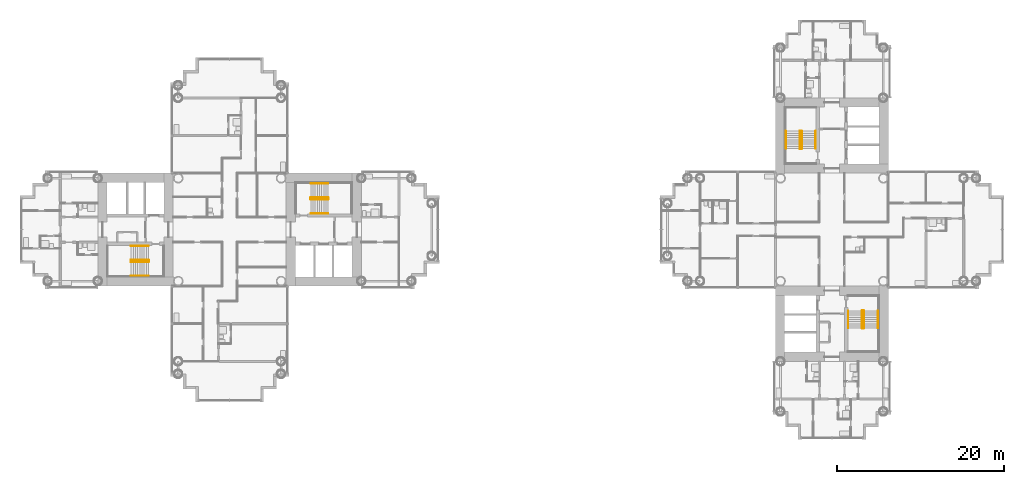
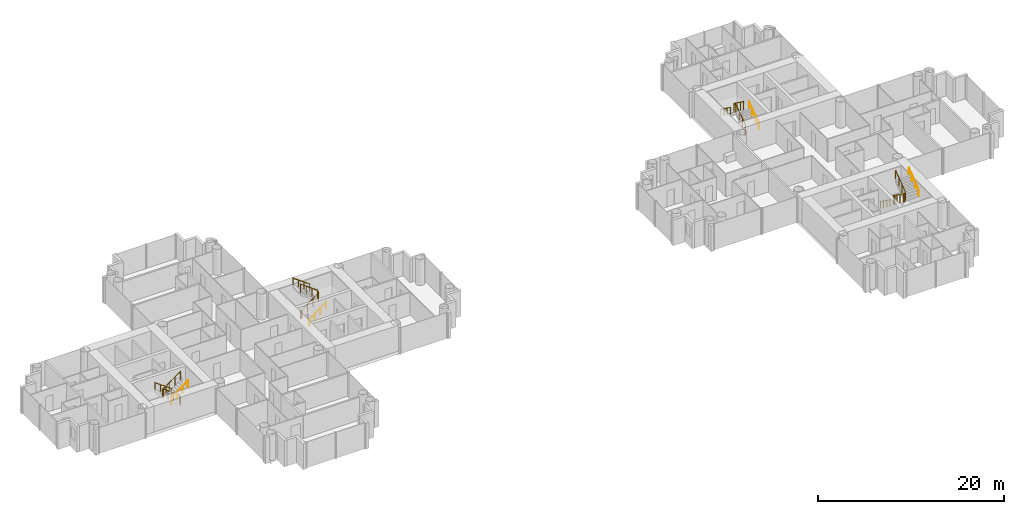
# One storey, part 21 of 22: 12 railings.
"""IFC4 building model written with IfcOpenShell, lengths in metres."""

import ifcopenshell
import ifcopenshell.guid

model = None  # the IFC model being written
_history = None  # IfcOwnerHistory: only IFC2X3 demands one
_inside = {}  # id of a spatial element -> (the spatial element, [elements in it])
_under = {}  # id of a project, library or spatial element -> (it, [spatial elements below it])
_declared = {}  # id of a project -> (the project, [libraries it declares])
_typed = {}  # id of a type object -> (the type object, [elements of that type])
_made_of = {}  # id of a material, layer set ... -> (it, [elements and type objects made of it])


def new_model(schema):
    """Start an empty IFC model of exactly this schema.

    Asked for "IFC4X3", IfcOpenShell would pick the latest addendum, in which some entities
    have other attributes; the version numbers below select the first issue.
    IFC2X3 requires an IfcOwnerHistory on every rooted entity: one is made here for all.
    """
    global model, _history
    if schema == "IFC4X3":
        model = ifcopenshell.file(schema_version=(4, 3, 0, 0))
    else:
        model = ifcopenshell.file(schema=schema)
    _inside.clear()
    _under.clear()
    _declared.clear()
    _typed.clear()
    _made_of.clear()
    _history = None
    if model.schema == "IFC2X3":
        org = make("IfcOrganization", Name="unknown")
        user = make(
            "IfcPersonAndOrganization",
            ThePerson=make("IfcPerson", FamilyName="unknown"),
            TheOrganization=org,
        )
        app = make(
            "IfcApplication",
            ApplicationDeveloper=org,
            Version="unknown",
            ApplicationFullName="unknown",
            ApplicationIdentifier="unknown",
        )
        _history = make(
            "IfcOwnerHistory",
            OwningUser=user,
            OwningApplication=app,
            ChangeAction="ADDED",
            CreationDate=0,
        )
    return model


def make(cls, **values):
    """One entity of the class cls with the attributes given. An attribute that is None is left unset."""
    return model.create_entity(
        cls, **{name: value for name, value in values.items() if value is not None}
    )


def rooted(cls, **values):
    """An entity with a GlobalId (a new one), such as an element, a storey or a relation."""
    return make(cls, GlobalId=ifcopenshell.guid.new(), OwnerHistory=_history, **values)


def si_unit(unit_type, name, prefix=None):
    """IfcSIUnit, for example si_unit("LENGTHUNIT", "METRE", prefix="MILLI")."""
    return make("IfcSIUnit", UnitType=unit_type, Prefix=prefix, Name=name)


def assignment(units):
    """IfcUnitAssignment: the units of a project."""
    return None if units is None else make("IfcUnitAssignment", Units=units)


def point(xyz):
    """IfcCartesianPoint."""
    return None if xyz is None else make("IfcCartesianPoint", Coordinates=xyz)


def direction(xyz):
    """IfcDirection."""
    return None if xyz is None else make("IfcDirection", DirectionRatios=xyz)


def frame(location, z_axis=None, x_axis=None):
    """IfcAxis2Placement3D, a coordinate frame: its origin and axes. An axis left out is left unset."""
    return make(
        "IfcAxis2Placement3D",
        Location=point(location),
        Axis=direction(z_axis),
        RefDirection=direction(x_axis),
    )


def frame_2d(location, x_axis=None):
    """IfcAxis2Placement2D, a coordinate frame in the plane: its origin and x axis."""
    return make(
        "IfcAxis2Placement2D", Location=point(location), RefDirection=direction(x_axis)
    )


def origin():
    """The frame at (0, 0, 0) with its axes left unset."""
    return frame((0.0, 0.0, 0.0))


def origin_2d():
    """The frame at (0, 0) in the plane with its x axis left unset."""
    return frame_2d((0.0, 0.0))


def place(relative_to, where):
    """IfcLocalPlacement: puts the frame where relative to a parent placement (None: the world)."""
    return make(
        "IfcLocalPlacement", PlacementRelTo=relative_to, RelativePlacement=where
    )


def context(
    kind, dimensions, precision=None, world=None, true_north=None, identifier=None
):
    """IfcGeometricRepresentationContext, for example the 3D "Model" context."""
    return make(
        "IfcGeometricRepresentationContext",
        ContextIdentifier=identifier,
        ContextType=kind,
        CoordinateSpaceDimension=dimensions,
        Precision=precision,
        WorldCoordinateSystem=world,
        TrueNorth=true_north,
    )


def subcontext(parent, identifier, kind, view, scale=None):
    """IfcGeometricRepresentationSubContext, for example "Body" below "Model"."""
    return make(
        "IfcGeometricRepresentationSubContext",
        ContextIdentifier=identifier,
        ContextType=kind,
        ParentContext=parent,
        TargetScale=scale,
        TargetView=view,
    )


def project(units=None, contexts=None):
    """IfcProject with its units and contexts."""
    return rooted(
        "IfcProject",
        Name="project",
        RepresentationContexts=contexts,
        UnitsInContext=assignment(units),
    )


def spatial(cls, under=None, at=None, **own):
    """A site, building, storey or space (cls), placed at a placement, below another one or the project."""
    s = rooted(cls, ObjectPlacement=at, **own)
    if under is not None:
        _under.setdefault(under.id(), (under, []))[1].append(s)
    return s


def profile(cls, at=None, kind="AREA", **sizes):
    """A parametric profile (cls). Its sizes go by their IFC names, for example OverallWidth=200.0."""
    return make(cls, ProfileType=kind, Position=at, **sizes)


def circle(**sizes):
    """IfcCircleProfileDef."""
    return profile("IfcCircleProfileDef", **sizes)


def extrude(swept, where, along, depth):
    """IfcExtrudedAreaSolid: the profile swept, set in the frame where, extruded along a direction by depth."""
    return make(
        "IfcExtrudedAreaSolid",
        SweptArea=swept,
        Position=where,
        ExtrudedDirection=direction(along),
        Depth=depth,
    )


def shape(context_of_items, identifier, shape_type, items):
    """IfcShapeRepresentation: the items that make up one representation, for example the "Body"."""
    return make(
        "IfcShapeRepresentation",
        ContextOfItems=context_of_items,
        RepresentationIdentifier=identifier,
        RepresentationType=shape_type,
        Items=items,
    )


def material(Name=None, Category=None):
    """IfcMaterial."""
    return make("IfcMaterial", Name=Name, Category=Category)


def made_of(thing, what):
    """Note that an element or type object is made of a material, layer set ...; save() writes the relation."""
    if what is not None:
        _made_of.setdefault(what.id(), (what, []))[1].append(thing)
    return thing


def type_object(cls, material=None, **own):
    """A type object (cls), such as IfcWallType, which elements share."""
    return made_of(rooted(cls, **own), material)


def element(
    cls,
    number,
    at=None,
    inside=None,
    cuts=None,
    type_object=None,
    material=None,
    context=None,
    identifier="Body",
    shape_type=None,
    held_by="IfcProductDefinitionShape",
    body=None,
    shapes=None,
    **own,
):
    """One element of the class cls, such as IfcWall. Its Tag is "e" and its number.

    at: its placement. inside: the storey or other place that contains it. cuts: it is an
    opening in that element (IfcRelVoidsElement). A single representation is given by context,
    identifier, shape_type and body (its items); several are given by shapes. held_by: the class
    of the entity that holds the representations. save() writes the other relations.
    """
    e = rooted(cls, Tag="e%d" % number, ObjectPlacement=at, **own)
    if body is not None:
        shapes = [shape(context, identifier, shape_type, body)]
    if shapes is not None:
        e.Representation = make(held_by, Representations=shapes)
    if inside is not None:
        _inside.setdefault(inside.id(), (inside, []))[1].append(e)
    if cuts is not None:
        rooted(
            "IfcRelVoidsElement", RelatingBuildingElement=cuts, RelatedOpeningElement=e
        )
    if type_object is not None:
        _typed.setdefault(type_object.id(), (type_object, []))[1].append(e)
    return made_of(e, material)


def aggregate(whole, parts):
    """IfcRelAggregates: a whole, such as a stair, and the parts it consists of."""
    return rooted("IfcRelAggregates", RelatingObject=whole, RelatedObjects=parts)


def save(model, path):
    """Write the relations noted so far, then the file.

    IfcRelAggregates (storeys below a building ...), IfcRelContainedInSpatialStructure (elements
    in a storey), IfcRelDefinesByType, IfcRelAssociatesMaterial and IfcRelDeclares: one each for
    every whole, place, type object, material and project.
    """
    for whole, parts in _under.values():
        aggregate(whole, parts)
    for where, things in _inside.values():
        rooted(
            "IfcRelContainedInSpatialStructure",
            RelatedElements=things,
            RelatingStructure=where,
        )
    for kind, things in _typed.values():
        rooted("IfcRelDefinesByType", RelatedObjects=things, RelatingType=kind)
    for what, things in _made_of.values():
        rooted("IfcRelAssociatesMaterial", RelatedObjects=things, RelatingMaterial=what)
    for by, libraries in _declared.values():
        rooted("IfcRelDeclares", RelatingContext=by, RelatedDefinitions=libraries)
    model.write(path)


model = new_model("IFC4")

# Units and contexts
model_context = context("Model", 3, precision=1e-05, world=origin(), true_north=direction((0.0, 1.0)))
body_context = subcontext(model_context, "Body", "Model", "MODEL_VIEW")
ifc_project = project(units=[si_unit("LENGTHUNIT", "METRE"), si_unit("AREAUNIT", "SQUARE_METRE"), si_unit("VOLUMEUNIT", "CUBIC_METRE"), si_unit("PLANEANGLEUNIT", "RADIAN"), si_unit("MASSUNIT", "GRAM", prefix="KILO")], contexts=[model_context])

# Site, building, storey
site_placement = place(None, origin())
site = spatial("IfcSite", under=ifc_project, at=site_placement, CompositionType="ELEMENT")
building_placement = place(site_placement, origin())
building = spatial("IfcBuilding", under=site, at=building_placement, Name="Ipe Terrace Towers", CompositionType="ELEMENT")
storey_placement = place(building_placement, frame((0.0, 0.0, 55.10009765625)))
storey = spatial("IfcBuildingStorey", under=building, at=storey_placement, Name="L14", CompositionType="ELEMENT", Elevation=55.10009765625)

# Railings
ifc_material_1 = material(Name="Steel S355", Category="steel")
railing_type_1 = type_object("IfcRailingType", Name="Stair guard 1100", PredefinedType="GUARDRAIL", material=ifc_material_1)
railing_1_placement = place(storey_placement, frame((-26.35009765625, 3.800048828125, 0.0)))
element("IfcRailing", 1, at=railing_1_placement, inside=storey, type_object=railing_type_1, Name="L14 T1-ST1 stair guard 1", PredefinedType="GUARDRAIL", context=body_context, shape_type="SweptSolid", body=[
    extrude(circle(Radius=0.02392578125, at=origin_2d()), frame((0.0, 0.0, 1.076171875), z_axis=(0.0, -1.0, 0.0), x_axis=(1.0, 0.0, 0.0)), (0.0, 0.0, 1.0), 0.150146484375),
    extrude(circle(Radius=0.02392578125, at=origin_2d()), frame((0.0, -0.150146484375, 1.076171875), z_axis=(0.248385422981, -0.247173786771, 0.936594790069), x_axis=(0.705375805398, 0.708833529934, 0.0)), (0.0, 0.0, 1.0), 0.201416015625),
    extrude(circle(Radius=0.02392578125, at=origin_2d()), frame((0.050048828125, -0.199951171875, 1.2646484375), z_axis=(0.809023421508, 0.0, 0.587776406001), x_axis=(0.0, 1.0, 0.0)), (0.0, 0.0, 1.0), 2.571044921875),
    extrude(circle(Radius=0.02392578125, at=origin_2d()), frame((2.130126953125, -0.199951171875, 2.77587890625), z_axis=(0.708833529934, 0.705375805398, 0.0), x_axis=(-0.705375805398, 0.708833529934, 0.0)), (0.0, 0.0, 1.0), 0.070556640625),
    extrude(circle(Radius=0.02392578125, at=origin_2d()), frame((2.18017578125, -0.150146484375, 2.77587890625), z_axis=(0.0, 1.0, 0.0), x_axis=(-1.0, 0.0, 0.0)), (0.0, 0.0, 1.0), 0.150146484375),
    extrude(circle(Radius=0.02392578125, at=origin_2d()), frame((2.18017578125, 0.0, 2.77587890625), z_axis=(-0.248310886586, 0.248310886586, 0.936313733321), x_axis=(-0.707106781187, -0.707106781187, 0.0)), (0.0, 0.0, 1.0), 0.20166015625),
    extrude(circle(Radius=0.02392578125, at=origin_2d()), frame((2.130126953125, 0.050048828125, 2.96484375), z_axis=(-0.809023421508, 0.0, 0.587776406001), x_axis=(0.0, -1.0, 0.0)), (0.0, 0.0, 1.0), 2.571044921875),
    extrude(circle(Radius=0.02099609375, at=origin_2d()), origin(), (0.0, 0.0, 1.0), 1.052001953125),
    extrude(circle(Radius=0.02099609375, at=origin_2d()), frame((0.0, -0.150146484375, 0.0)), (0.0, 0.0, 1.0), 1.052001953125),
    extrude(circle(Radius=0.02099609375, at=origin_2d()), frame((0.050048828125, -0.199951171875, 0.188720703125)), (0.0, 0.0, 1.0), 1.052001953125),
    extrude(circle(Radius=0.02099609375, at=origin_2d()), frame((0.743408203125, -0.199951171875, 0.6923828125)), (0.0, 0.0, 1.0), 1.052001953125),
    extrude(circle(Radius=0.02099609375, at=origin_2d()), frame((1.436767578125, -0.199951171875, 1.1962890625)), (0.0, 0.0, 1.0), 1.052001953125),
    extrude(circle(Radius=0.02099609375, at=origin_2d()), frame((2.130126953125, -0.199951171875, 1.699951171875)), (0.0, 0.0, 1.0), 1.052001953125),
    extrude(circle(Radius=0.02099609375, at=origin_2d()), frame((2.18017578125, -0.150146484375, 1.699951171875)), (0.0, 0.0, 1.0), 1.052001953125),
    extrude(circle(Radius=0.02099609375, at=origin_2d()), frame((2.18017578125, 0.0, 1.699951171875)), (0.0, 0.0, 1.0), 1.052001953125),
    extrude(circle(Radius=0.02099609375, at=origin_2d()), frame((2.130126953125, 0.050048828125, 1.888671875)), (0.0, 0.0, 1.0), 1.052001953125),
    extrude(circle(Radius=0.02099609375, at=origin_2d()), frame((1.436767578125, 0.050048828125, 2.392333984375)), (0.0, 0.0, 1.0), 1.052001953125),
    extrude(circle(Radius=0.02099609375, at=origin_2d()), frame((0.743408203125, 0.050048828125, 2.896240234375)), (0.0, 0.0, 1.0), 1.052001953125),
    extrude(circle(Radius=0.02099609375, at=origin_2d()), frame((0.050048828125, 0.050048828125, 3.39990234375)), (0.0, 0.0, 1.0), 1.052001953125),
])
railing_2_placement = place(storey_placement, frame((-45.64990234375, -3.800048828125, 0.0)))
element("IfcRailing", 2, at=railing_2_placement, inside=storey, type_object=railing_type_1, Name="L14 T1-ST2 stair guard 1", PredefinedType="GUARDRAIL", context=body_context, shape_type="SweptSolid", body=[
    extrude(circle(Radius=0.02392578125, at=origin_2d()), frame((0.0, 0.0, 1.076171875), z_axis=(0.0, 1.0, 0.0), x_axis=(-1.0, 0.0, 0.0)), (0.0, 0.0, 1.0), 0.150146484375),
    extrude(circle(Radius=0.02392578125, at=origin_2d()), frame((0.0, 0.150146484375, 1.076171875), z_axis=(-0.248385422981, 0.247173786771, 0.936594790069), x_axis=(-0.705375805398, -0.708833529934, 0.0)), (0.0, 0.0, 1.0), 0.201416015625),
    extrude(circle(Radius=0.02392578125, at=origin_2d()), frame((-0.050048828125, 0.199951171875, 1.2646484375), z_axis=(-0.809023421508, 0.0, 0.587776406001), x_axis=(0.0, -1.0, 0.0)), (0.0, 0.0, 1.0), 2.571044921875),
    extrude(circle(Radius=0.02392578125, at=origin_2d()), frame((-2.130126953125, 0.199951171875, 2.77587890625), z_axis=(-0.708833529934, -0.705375805398, 0.0), x_axis=(0.705375805398, -0.708833529934, 0.0)), (0.0, 0.0, 1.0), 0.070556640625),
    extrude(circle(Radius=0.02392578125, at=origin_2d()), frame((-2.18017578125, 0.150146484375, 2.77587890625), z_axis=(0.0, -1.0, 0.0), x_axis=(1.0, 0.0, 0.0)), (0.0, 0.0, 1.0), 0.150146484375),
    extrude(circle(Radius=0.02392578125, at=origin_2d()), frame((-2.18017578125, 0.0, 2.77587890625), z_axis=(0.248310886586, -0.248310886586, 0.936313733321), x_axis=(0.707106781187, 0.707106781187, 0.0)), (0.0, 0.0, 1.0), 0.20166015625),
    extrude(circle(Radius=0.02392578125, at=origin_2d()), frame((-2.130126953125, -0.050048828125, 2.96484375), z_axis=(0.809023421508, 0.0, 0.587776406001), x_axis=(0.0, 1.0, 0.0)), (0.0, 0.0, 1.0), 2.571044921875),
    extrude(circle(Radius=0.02099609375, at=origin_2d()), origin(), (0.0, 0.0, 1.0), 1.052001953125),
    extrude(circle(Radius=0.02099609375, at=origin_2d()), frame((0.0, 0.150146484375, 0.0)), (0.0, 0.0, 1.0), 1.052001953125),
    extrude(circle(Radius=0.02099609375, at=origin_2d()), frame((-0.050048828125, 0.199951171875, 0.188720703125)), (0.0, 0.0, 1.0), 1.052001953125),
    extrude(circle(Radius=0.02099609375, at=origin_2d()), frame((-0.743408203125, 0.199951171875, 0.6923828125)), (0.0, 0.0, 1.0), 1.052001953125),
    extrude(circle(Radius=0.02099609375, at=origin_2d()), frame((-1.436767578125, 0.199951171875, 1.1962890625)), (0.0, 0.0, 1.0), 1.052001953125),
    extrude(circle(Radius=0.02099609375, at=origin_2d()), frame((-2.130126953125, 0.199951171875, 1.699951171875)), (0.0, 0.0, 1.0), 1.052001953125),
    extrude(circle(Radius=0.02099609375, at=origin_2d()), frame((-2.18017578125, 0.150146484375, 1.699951171875)), (0.0, 0.0, 1.0), 1.052001953125),
    extrude(circle(Radius=0.02099609375, at=origin_2d()), frame((-2.18017578125, 0.0, 1.699951171875)), (0.0, 0.0, 1.0), 1.052001953125),
    extrude(circle(Radius=0.02099609375, at=origin_2d()), frame((-2.130126953125, -0.050048828125, 1.888671875)), (0.0, 0.0, 1.0), 1.052001953125),
    extrude(circle(Radius=0.02099609375, at=origin_2d()), frame((-1.436767578125, -0.050048828125, 2.392333984375)), (0.0, 0.0, 1.0), 1.052001953125),
    extrude(circle(Radius=0.02099609375, at=origin_2d()), frame((-0.743408203125, -0.050048828125, 2.896240234375)), (0.0, 0.0, 1.0), 1.052001953125),
    extrude(circle(Radius=0.02099609375, at=origin_2d()), frame((-0.050048828125, -0.050048828125, 3.39990234375)), (0.0, 0.0, 1.0), 1.052001953125),
])
railing_3_placement = place(storey_placement, frame((32.199951171875, 9.64990234375, 0.0)))
element("IfcRailing", 3, at=railing_3_placement, inside=storey, type_object=railing_type_1, Name="L14 T2-ST1 stair guard 1", PredefinedType="GUARDRAIL", context=body_context, shape_type="SweptSolid", body=[
    extrude(circle(Radius=0.02392578125, at=origin_2d()), frame((0.0, 0.0, 1.076171875), z_axis=(1.0, 0.0, 0.0), x_axis=(0.0, 1.0, 0.0)), (0.0, 0.0, 1.0), 0.150146484375),
    extrude(circle(Radius=0.02392578125, at=origin_2d()), frame((0.150146484375, 0.0, 1.076171875), z_axis=(0.247173786771, 0.248385422981, 0.936594790069), x_axis=(-0.708833529934, 0.705375805398, 0.0)), (0.0, 0.0, 1.0), 0.201416015625),
    extrude(circle(Radius=0.02392578125, at=origin_2d()), frame((0.199951171875, 0.050048828125, 1.2646484375), z_axis=(0.0, 0.809023421508, 0.587776406001), x_axis=(-1.0, 0.0, 0.0)), (0.0, 0.0, 1.0), 2.571044921875),
    extrude(circle(Radius=0.02392578125, at=origin_2d()), frame((0.199951171875, 2.130126953125, 2.77587890625), z_axis=(-0.705375805398, 0.708833529934, 0.0), x_axis=(-0.708833529934, -0.705375805398, 0.0)), (0.0, 0.0, 1.0), 0.070556640625),
    extrude(circle(Radius=0.02392578125, at=origin_2d()), frame((0.150146484375, 2.18017578125, 2.77587890625), z_axis=(-1.0, 0.0, 0.0), x_axis=(0.0, -1.0, 0.0)), (0.0, 0.0, 1.0), 0.150146484375),
    extrude(circle(Radius=0.02392578125, at=origin_2d()), frame((0.0, 2.18017578125, 2.77587890625), z_axis=(-0.248310886586, -0.248310886586, 0.936313733321), x_axis=(0.707106781187, -0.707106781187, 0.0)), (0.0, 0.0, 1.0), 0.20166015625),
    extrude(circle(Radius=0.02392578125, at=origin_2d()), frame((-0.050048828125, 2.130126953125, 2.96484375), z_axis=(0.0, -0.809023421508, 0.587776406001), x_axis=(1.0, 0.0, 0.0)), (0.0, 0.0, 1.0), 2.571044921875),
    extrude(circle(Radius=0.02099609375, at=origin_2d()), origin(), (0.0, 0.0, 1.0), 1.052001953125),
    extrude(circle(Radius=0.02099609375, at=origin_2d()), frame((0.150146484375, 0.0, 0.0)), (0.0, 0.0, 1.0), 1.052001953125),
    extrude(circle(Radius=0.02099609375, at=origin_2d()), frame((0.199951171875, 0.050048828125, 0.188720703125)), (0.0, 0.0, 1.0), 1.052001953125),
    extrude(circle(Radius=0.02099609375, at=origin_2d()), frame((0.199951171875, 0.743408203125, 0.6923828125)), (0.0, 0.0, 1.0), 1.052001953125),
    extrude(circle(Radius=0.02099609375, at=origin_2d()), frame((0.199951171875, 1.436767578125, 1.1962890625)), (0.0, 0.0, 1.0), 1.052001953125),
    extrude(circle(Radius=0.02099609375, at=origin_2d()), frame((0.199951171875, 2.130126953125, 1.699951171875)), (0.0, 0.0, 1.0), 1.052001953125),
    extrude(circle(Radius=0.02099609375, at=origin_2d()), frame((0.150146484375, 2.18017578125, 1.699951171875)), (0.0, 0.0, 1.0), 1.052001953125),
    extrude(circle(Radius=0.02099609375, at=origin_2d()), frame((0.0, 2.18017578125, 1.699951171875)), (0.0, 0.0, 1.0), 1.052001953125),
    extrude(circle(Radius=0.02099609375, at=origin_2d()), frame((-0.050048828125, 2.130126953125, 1.888671875)), (0.0, 0.0, 1.0), 1.052001953125),
    extrude(circle(Radius=0.02099609375, at=origin_2d()), frame((-0.050048828125, 1.436767578125, 2.392333984375)), (0.0, 0.0, 1.0), 1.052001953125),
    extrude(circle(Radius=0.02099609375, at=origin_2d()), frame((-0.050048828125, 0.743408203125, 2.896240234375)), (0.0, 0.0, 1.0), 1.052001953125),
    extrude(circle(Radius=0.02099609375, at=origin_2d()), frame((-0.050048828125, 0.050048828125, 3.39990234375)), (0.0, 0.0, 1.0), 1.052001953125),
])
railing_4_placement = place(storey_placement, frame((39.800048828125, -9.64990234375, 0.0)))
element("IfcRailing", 4, at=railing_4_placement, inside=storey, type_object=railing_type_1, Name="L14 T2-ST2 stair guard 1", PredefinedType="GUARDRAIL", context=body_context, shape_type="SweptSolid", body=[
    extrude(circle(Radius=0.02392578125, at=origin_2d()), frame((0.0, 0.0, 1.076171875), z_axis=(-1.0, 0.0, 0.0), x_axis=(0.0, -1.0, 0.0)), (0.0, 0.0, 1.0), 0.150146484375),
    extrude(circle(Radius=0.02392578125, at=origin_2d()), frame((-0.150146484375, 0.0, 1.076171875), z_axis=(-0.247173786771, -0.248385422981, 0.936594790069), x_axis=(0.708833529934, -0.705375805398, 0.0)), (0.0, 0.0, 1.0), 0.201416015625),
    extrude(circle(Radius=0.02392578125, at=origin_2d()), frame((-0.199951171875, -0.050048828125, 1.2646484375), z_axis=(0.0, -0.809023421508, 0.587776406001), x_axis=(1.0, 0.0, 0.0)), (0.0, 0.0, 1.0), 2.571044921875),
    extrude(circle(Radius=0.02392578125, at=origin_2d()), frame((-0.199951171875, -2.130126953125, 2.77587890625), z_axis=(0.705375805398, -0.708833529934, 0.0), x_axis=(0.708833529934, 0.705375805398, 0.0)), (0.0, 0.0, 1.0), 0.070556640625),
    extrude(circle(Radius=0.02392578125, at=origin_2d()), frame((-0.150146484375, -2.18017578125, 2.77587890625), z_axis=(1.0, 0.0, 0.0), x_axis=(0.0, 1.0, 0.0)), (0.0, 0.0, 1.0), 0.150146484375),
    extrude(circle(Radius=0.02392578125, at=origin_2d()), frame((0.0, -2.18017578125, 2.77587890625), z_axis=(0.248310886586, 0.248310886586, 0.936313733321), x_axis=(-0.707106781187, 0.707106781187, 0.0)), (0.0, 0.0, 1.0), 0.20166015625),
    extrude(circle(Radius=0.02392578125, at=origin_2d()), frame((0.050048828125, -2.130126953125, 2.96484375), z_axis=(0.0, 0.809023421508, 0.587776406001), x_axis=(-1.0, 0.0, 0.0)), (0.0, 0.0, 1.0), 2.571044921875),
    extrude(circle(Radius=0.02099609375, at=origin_2d()), origin(), (0.0, 0.0, 1.0), 1.052001953125),
    extrude(circle(Radius=0.02099609375, at=origin_2d()), frame((-0.150146484375, 0.0, 0.0)), (0.0, 0.0, 1.0), 1.052001953125),
    extrude(circle(Radius=0.02099609375, at=origin_2d()), frame((-0.199951171875, -0.050048828125, 0.188720703125)), (0.0, 0.0, 1.0), 1.052001953125),
    extrude(circle(Radius=0.02099609375, at=origin_2d()), frame((-0.199951171875, -0.743408203125, 0.6923828125)), (0.0, 0.0, 1.0), 1.052001953125),
    extrude(circle(Radius=0.02099609375, at=origin_2d()), frame((-0.199951171875, -1.436767578125, 1.1962890625)), (0.0, 0.0, 1.0), 1.052001953125),
    extrude(circle(Radius=0.02099609375, at=origin_2d()), frame((-0.199951171875, -2.130126953125, 1.699951171875)), (0.0, 0.0, 1.0), 1.052001953125),
    extrude(circle(Radius=0.02099609375, at=origin_2d()), frame((-0.150146484375, -2.18017578125, 1.699951171875)), (0.0, 0.0, 1.0), 1.052001953125),
    extrude(circle(Radius=0.02099609375, at=origin_2d()), frame((0.0, -2.18017578125, 1.699951171875)), (0.0, 0.0, 1.0), 1.052001953125),
    extrude(circle(Radius=0.02099609375, at=origin_2d()), frame((0.050048828125, -2.130126953125, 1.888671875)), (0.0, 0.0, 1.0), 1.052001953125),
    extrude(circle(Radius=0.02099609375, at=origin_2d()), frame((0.050048828125, -1.436767578125, 2.392333984375)), (0.0, 0.0, 1.0), 1.052001953125),
    extrude(circle(Radius=0.02099609375, at=origin_2d()), frame((0.050048828125, -0.743408203125, 2.896240234375)), (0.0, 0.0, 1.0), 1.052001953125),
    extrude(circle(Radius=0.02099609375, at=origin_2d()), frame((0.050048828125, -0.050048828125, 3.39990234375)), (0.0, 0.0, 1.0), 1.052001953125),
])
ifc_material_2 = material(Name="Stainless steel grade 304", Category="steel")
railing_type_2 = type_object("IfcRailingType", Name="Stair handrail 900", PredefinedType="HANDRAIL", material=ifc_material_2)
railing_5_placement = place(storey_placement, frame((-26.300048828125, 1.949951171875, 0.188720703125)))
element("IfcRailing", 5, at=railing_5_placement, inside=storey, type_object=railing_type_2, Name="L14 T1-ST1 stair handrail 1", PredefinedType="HANDRAIL", context=body_context, shape_type="SweptSolid", body=[
    extrude(circle(Radius=0.02392578125, at=origin_2d()), frame((0.0, 0.0, 0.8759765625), z_axis=(0.809023421508, 0.0, 0.587776406001), x_axis=(0.0, 1.0, 0.0)), (0.0, 0.0, 1.0), 2.571044921875),
    extrude(circle(Radius=0.02099609375, at=origin_2d()), origin(), (0.0, 0.0, 1.0), 0.851806640625),
    extrude(circle(Radius=0.02099609375, at=origin_2d()), frame((0.693359375, 0.0, 0.503662109375)), (0.0, 0.0, 1.0), 0.851806640625),
    extrude(circle(Radius=0.02099609375, at=origin_2d()), frame((1.38671875, 0.0, 1.007568359375)), (0.0, 0.0, 1.0), 0.851806640625),
    extrude(circle(Radius=0.02099609375, at=origin_2d()), frame((2.080078125, 0.0, 1.51123046875)), (0.0, 0.0, 1.0), 0.851806640625),
])
for number, where, name in (
    (6, (-24.219970703125, 5.5, 1.888671875), "L14 T1-ST1 stair handrail 2"),
    (7, (-45.699951171875, -1.949951171875, 0.188720703125), "L14 T1-ST2 stair handrail 1"),
):
    element("IfcRailing", number, at=place(storey_placement, frame(where)), inside=storey, type_object=railing_type_2, Name=name, PredefinedType="HANDRAIL", context=body_context, shape_type="SweptSolid", body=[
        extrude(circle(Radius=0.02392578125, at=origin_2d()), frame((0.0, 0.0, 0.8759765625), z_axis=(-0.809023421508, 0.0, 0.587776406001), x_axis=(0.0, -1.0, 0.0)), (0.0, 0.0, 1.0), 2.571044921875),
        extrude(circle(Radius=0.02099609375, at=origin_2d()), origin(), (0.0, 0.0, 1.0), 0.851806640625),
        extrude(circle(Radius=0.02099609375, at=origin_2d()), frame((-0.693359375, 0.0, 0.503662109375)), (0.0, 0.0, 1.0), 0.851806640625),
        extrude(circle(Radius=0.02099609375, at=origin_2d()), frame((-1.38671875, 0.0, 1.007568359375)), (0.0, 0.0, 1.0), 0.851806640625),
        extrude(circle(Radius=0.02099609375, at=origin_2d()), frame((-2.080078125, 0.0, 1.51123046875)), (0.0, 0.0, 1.0), 0.851806640625),
    ])
railing_6_placement = place(storey_placement, frame((-47.780029296875, -5.5, 1.888671875)))
element("IfcRailing", 8, at=railing_6_placement, inside=storey, type_object=railing_type_2, Name="L14 T1-ST2 stair handrail 2", PredefinedType="HANDRAIL", context=body_context, shape_type="SweptSolid", body=[
    extrude(circle(Radius=0.02392578125, at=origin_2d()), frame((0.0, 0.0, 0.8759765625), z_axis=(0.809023421508, 0.0, 0.587776406001), x_axis=(0.0, 1.0, 0.0)), (0.0, 0.0, 1.0), 2.571044921875),
    extrude(circle(Radius=0.02099609375, at=origin_2d()), origin(), (0.0, 0.0, 1.0), 0.851806640625),
    extrude(circle(Radius=0.02099609375, at=origin_2d()), frame((0.693359375, 0.0, 0.503662109375)), (0.0, 0.0, 1.0), 0.851806640625),
    extrude(circle(Radius=0.02099609375, at=origin_2d()), frame((1.38671875, 0.0, 1.007568359375)), (0.0, 0.0, 1.0), 0.851806640625),
    extrude(circle(Radius=0.02099609375, at=origin_2d()), frame((2.080078125, 0.0, 1.51123046875)), (0.0, 0.0, 1.0), 0.851806640625),
])
railing_7_placement = place(storey_placement, frame((34.050048828125, 9.699951171875, 0.188720703125)))
element("IfcRailing", 9, at=railing_7_placement, inside=storey, type_object=railing_type_2, Name="L14 T2-ST1 stair handrail 1", PredefinedType="HANDRAIL", context=body_context, shape_type="SweptSolid", body=[
    extrude(circle(Radius=0.02392578125, at=origin_2d()), frame((0.0, 0.0, 0.8759765625), z_axis=(0.0, 0.809023421508, 0.587776406001), x_axis=(-1.0, 0.0, 0.0)), (0.0, 0.0, 1.0), 2.571044921875),
    extrude(circle(Radius=0.02099609375, at=origin_2d()), origin(), (0.0, 0.0, 1.0), 0.851806640625),
    extrude(circle(Radius=0.02099609375, at=origin_2d()), frame((0.0, 0.693359375, 0.503662109375)), (0.0, 0.0, 1.0), 0.851806640625),
    extrude(circle(Radius=0.02099609375, at=origin_2d()), frame((0.0, 1.38671875, 1.007568359375)), (0.0, 0.0, 1.0), 0.851806640625),
    extrude(circle(Radius=0.02099609375, at=origin_2d()), frame((0.0, 2.080078125, 1.51123046875)), (0.0, 0.0, 1.0), 0.851806640625),
])
for number, where, name in (
    (10, (30.5, 11.780029296875, 1.888671875), "L14 T2-ST1 stair handrail 2"),
    (11, (37.949951171875, -9.699951171875, 0.188720703125), "L14 T2-ST2 stair handrail 1"),
):
    element("IfcRailing", number, at=place(storey_placement, frame(where)), inside=storey, type_object=railing_type_2, Name=name, PredefinedType="HANDRAIL", context=body_context, shape_type="SweptSolid", body=[
        extrude(circle(Radius=0.02392578125, at=origin_2d()), frame((0.0, 0.0, 0.8759765625), z_axis=(0.0, -0.809023421508, 0.587776406001), x_axis=(1.0, 0.0, 0.0)), (0.0, 0.0, 1.0), 2.571044921875),
        extrude(circle(Radius=0.02099609375, at=origin_2d()), origin(), (0.0, 0.0, 1.0), 0.851806640625),
        extrude(circle(Radius=0.02099609375, at=origin_2d()), frame((0.0, -0.693359375, 0.503662109375)), (0.0, 0.0, 1.0), 0.851806640625),
        extrude(circle(Radius=0.02099609375, at=origin_2d()), frame((0.0, -1.38671875, 1.007568359375)), (0.0, 0.0, 1.0), 0.851806640625),
        extrude(circle(Radius=0.02099609375, at=origin_2d()), frame((0.0, -2.080078125, 1.51123046875)), (0.0, 0.0, 1.0), 0.851806640625),
    ])
railing_8_placement = place(storey_placement, frame((41.5, -11.780029296875, 1.888671875)))
element("IfcRailing", 12, at=railing_8_placement, inside=storey, type_object=railing_type_2, Name="L14 T2-ST2 stair handrail 2", PredefinedType="HANDRAIL", context=body_context, shape_type="SweptSolid", body=[
    extrude(circle(Radius=0.02392578125, at=origin_2d()), frame((0.0, 0.0, 0.8759765625), z_axis=(0.0, 0.809023421508, 0.587776406001), x_axis=(-1.0, 0.0, 0.0)), (0.0, 0.0, 1.0), 2.571044921875),
    extrude(circle(Radius=0.02099609375, at=origin_2d()), origin(), (0.0, 0.0, 1.0), 0.851806640625),
    extrude(circle(Radius=0.02099609375, at=origin_2d()), frame((0.0, 0.693359375, 0.503662109375)), (0.0, 0.0, 1.0), 0.851806640625),
    extrude(circle(Radius=0.02099609375, at=origin_2d()), frame((0.0, 1.38671875, 1.007568359375)), (0.0, 0.0, 1.0), 0.851806640625),
    extrude(circle(Radius=0.02099609375, at=origin_2d()), frame((0.0, 2.080078125, 1.51123046875)), (0.0, 0.0, 1.0), 0.851806640625),
])

save(model, "model.ifc")
